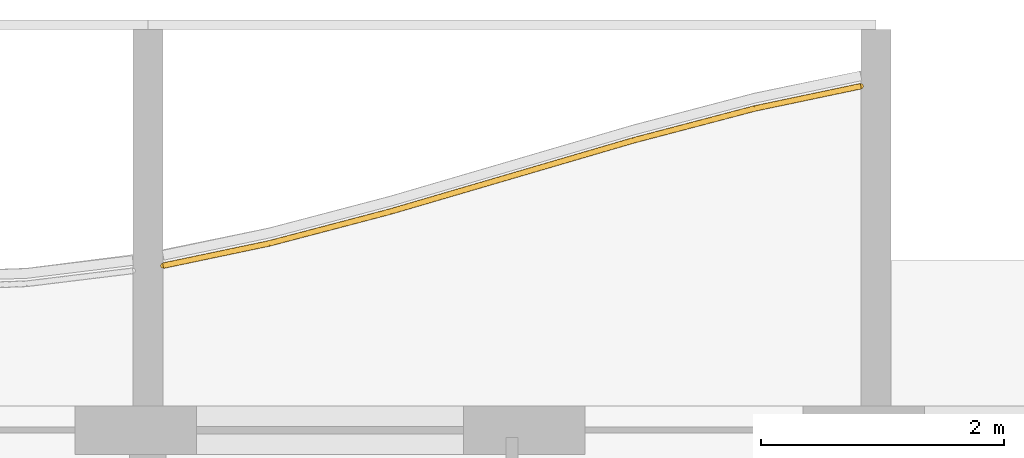
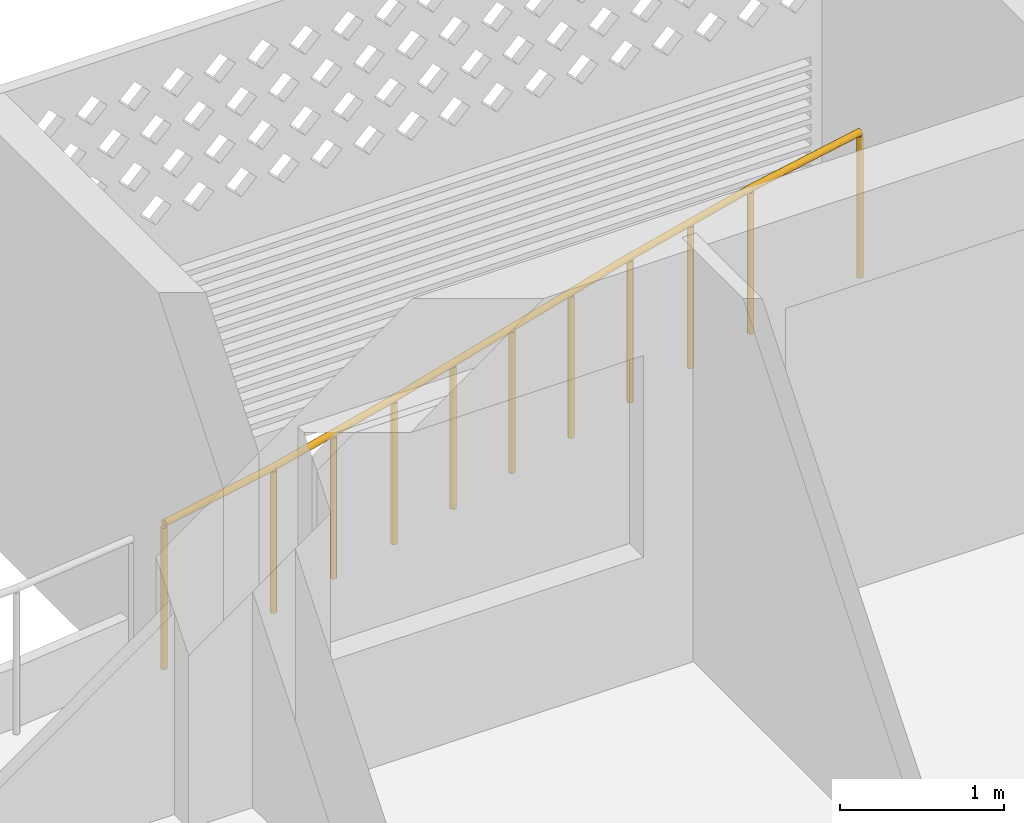
# One storey, part 23 of 32: 1 railing.
"""IFC4 building model written with IfcOpenShell, lengths in metres."""

from ifc_helpers import new_model, si_unit, direction, frame, origin, origin_2d, place, context, subcontext, project, spatial, circle, extrude, material, type_object, element, save


model = new_model("IFC4")

# Units and contexts
model_context = context("Model", 3, precision=1e-05, world=origin(), true_north=direction((0.0, 1.0)))
body_context = subcontext(model_context, "Body", "Model", "MODEL_VIEW")
ifc_project = project(units=[si_unit("LENGTHUNIT", "METRE"), si_unit("AREAUNIT", "SQUARE_METRE"), si_unit("VOLUMEUNIT", "CUBIC_METRE"), si_unit("PLANEANGLEUNIT", "RADIAN"), si_unit("MASSUNIT", "GRAM", prefix="KILO")], contexts=[model_context])

# Site, building, storey
site_placement = place(None, origin())
site = spatial("IfcSite", under=ifc_project, at=site_placement, CompositionType="ELEMENT")
building_placement = place(site_placement, origin())
building = spatial("IfcBuilding", under=site, at=building_placement, Name="Poui Terraces", CompositionType="ELEMENT")
storey_placement = place(building_placement, frame((0.0, 0.0, 122.39990234375)))
storey = spatial("IfcBuildingStorey", under=building, at=storey_placement, Name="L33", CompositionType="ELEMENT", Elevation=122.39990234375)

# Railing
ifc_material = material(Name="Painted steel fretwork", Category="steel")
railing_type = type_object("IfcRailingType", Name="BALCONY GUARD 1100", PredefinedType="GUARDRAIL", material=ifc_material)
railing_placement = place(storey_placement, frame((36.125, 43.755615234375, 0.0)))
element("IfcRailing", 1, at=railing_placement, inside=storey, type_object=railing_type, Name="BALCONY GUARD", PredefinedType="GUARDRAIL", context=body_context, shape_type="SweptSolid", body=[
    extrude(circle(Radius=0.02392578125, at=origin_2d()), frame((0.0, 0.0, 1.076171875), z_axis=(0.978688632966, 0.205349847096, 0.0), x_axis=(-0.205349847096, 0.978688632966, 0.0)), (0.0, 0.0, 1.0), 0.89404296875),
    extrude(circle(Radius=0.02392578125, at=origin_2d()), frame((0.875, 0.18359375, 1.076171875), z_axis=(0.967126511287, 0.25429571598, 0.0), x_axis=(-0.25429571598, 0.967126511287, 0.0)), (0.0, 0.0, 1.0), 1.033935546875),
    extrude(circle(Radius=0.02392578125, at=origin_2d()), frame((1.875, 0.446533203125, 1.076171875), z_axis=(0.959663427085, 0.281151394654, 0.0), x_axis=(-0.281151394654, 0.959663427085, 0.0)), (0.0, 0.0, 1.0), 1.0419921875),
    extrude(circle(Radius=0.02392578125, at=origin_2d()), frame((2.875, 0.739501953125, 1.076171875), z_axis=(0.959726621702, 0.280935600444, 0.0), x_axis=(-0.280935600444, 0.959726621702, 0.0)), (0.0, 0.0, 1.0), 1.0419921875),
    extrude(circle(Radius=0.02392578125, at=origin_2d()), frame((3.875, 1.0322265625, 1.076171875), z_axis=(0.967126511287, 0.25429571598, 0.0), x_axis=(-0.25429571598, 0.967126511287, 0.0)), (0.0, 0.0, 1.0), 1.033935546875),
    extrude(circle(Radius=0.02392578125, at=origin_2d()), frame((4.875, 1.295166015625, 1.076171875), z_axis=(0.978633720926, 0.205611381657, 0.0), x_axis=(-0.205611381657, 0.978633720926, 0.0)), (0.0, 0.0, 1.0), 0.89404296875),
    extrude(circle(Radius=0.02099609375, at=origin_2d()), origin(), (0.0, 0.0, 1.0), 1.052001953125),
    extrude(circle(Radius=0.02099609375, at=origin_2d()), frame((0.875, 0.18359375, 0.0)), (0.0, 0.0, 1.0), 1.052001953125),
    extrude(circle(Radius=0.02099609375, at=origin_2d()), frame((1.375, 0.31494140625, 0.0)), (0.0, 0.0, 1.0), 1.052001953125),
    extrude(circle(Radius=0.02099609375, at=origin_2d()), frame((1.875, 0.446533203125, 0.0)), (0.0, 0.0, 1.0), 1.052001953125),
    extrude(circle(Radius=0.02099609375, at=origin_2d()), frame((2.375, 0.593017578125, 0.0)), (0.0, 0.0, 1.0), 1.052001953125),
    extrude(circle(Radius=0.02099609375, at=origin_2d()), frame((2.875, 0.739501953125, 0.0)), (0.0, 0.0, 1.0), 1.052001953125),
    extrude(circle(Radius=0.02099609375, at=origin_2d()), frame((3.375, 0.8857421875, 0.0)), (0.0, 0.0, 1.0), 1.052001953125),
    extrude(circle(Radius=0.02099609375, at=origin_2d()), frame((3.875, 1.0322265625, 0.0)), (0.0, 0.0, 1.0), 1.052001953125),
    extrude(circle(Radius=0.02099609375, at=origin_2d()), frame((4.375, 1.16357421875, 0.0)), (0.0, 0.0, 1.0), 1.052001953125),
    extrude(circle(Radius=0.02099609375, at=origin_2d()), frame((4.875, 1.295166015625, 0.0)), (0.0, 0.0, 1.0), 1.052001953125),
    extrude(circle(Radius=0.02099609375, at=origin_2d()), frame((5.75, 1.47900390625, 0.0)), (0.0, 0.0, 1.0), 1.052001953125),
])

save(model, "model.ifc")
